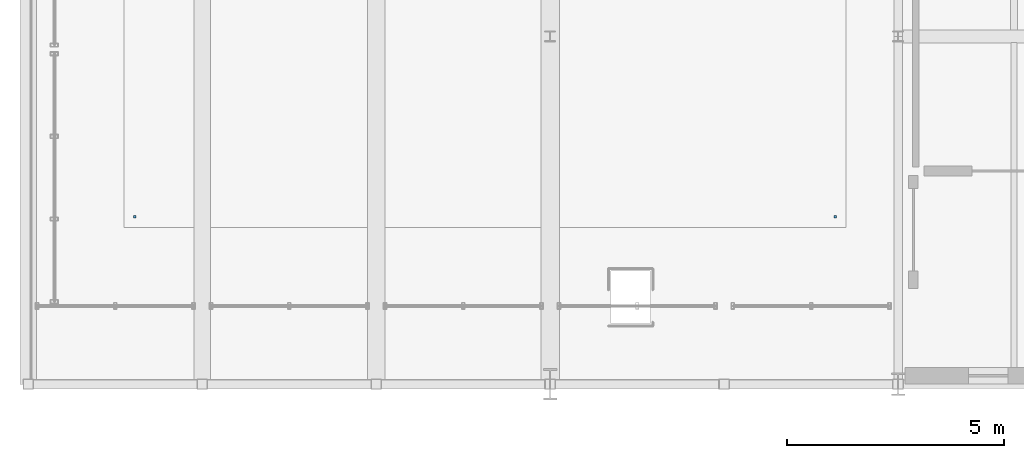
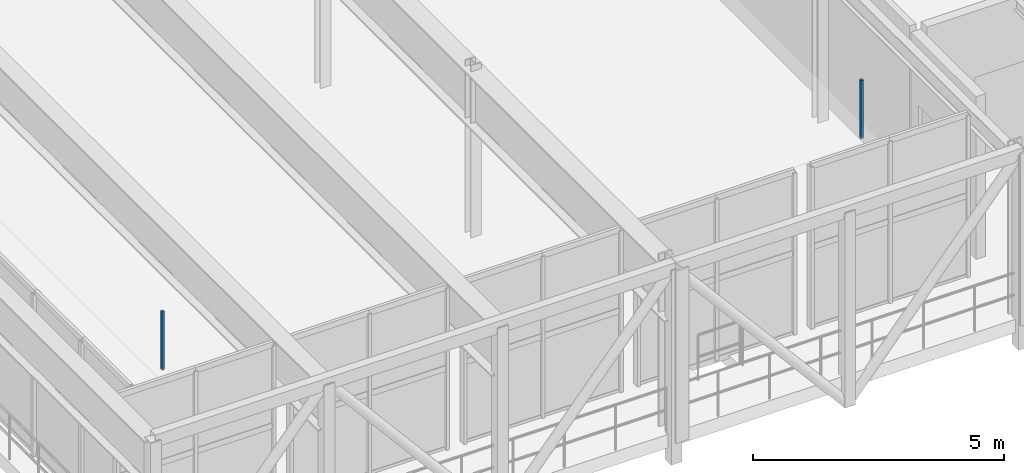
# One storey, part 91 of 124: 2 discrete accessories.
"""IFC4 building model written with IfcOpenShell, lengths in metres."""

from ifc_helpers import new_model, si_unit, direction, frame, origin, origin_2d, place, context, subcontext, project, spatial, rectangle, extrude, material, type_object, element, save


model = new_model("IFC4")

# Units and contexts
model_context = context("Model", 3, precision=1e-05, world=origin(), true_north=direction((0.0, 1.0)))
body_context = subcontext(model_context, "Body", "Model", "MODEL_VIEW")
ifc_project = project(units=[si_unit("LENGTHUNIT", "METRE"), si_unit("AREAUNIT", "SQUARE_METRE"), si_unit("VOLUMEUNIT", "CUBIC_METRE"), si_unit("PLANEANGLEUNIT", "RADIAN"), si_unit("MASSUNIT", "GRAM", prefix="KILO")], contexts=[model_context])

# Site, building, storey
site_placement = place(None, origin())
site = spatial("IfcSite", under=ifc_project, at=site_placement, CompositionType="ELEMENT")
building_placement = place(site_placement, origin())
building = spatial("IfcBuilding", under=site, at=building_placement, Name="Sundkrona Museum", CompositionType="ELEMENT")
storey_placement = place(building_placement, frame((0.0, 0.0, 17.60009765625)))
storey = spatial("IfcBuildingStorey", under=building, at=storey_placement, Name="L03", CompositionType="ELEMENT", Elevation=17.60009765625)

# Discrete accessories
ifc_material = material(Name="Stainless Steel EN 1.4404 Cleat", Category="steel")
discrete_accessory_type = type_object("IfcDiscreteAccessoryType", Name="BRK-FIN-01", PredefinedType="BRACKET", material=ifc_material)
for number, where, z_axis, x_axis, name in (
    (1, (6.449951171875, 35.85009765625, 2.550048828125), (0.0, 0.0, 1.0), (1.0, 0.0, 0.0), "L03 Marine Biology Gallery Ceiling Hanger 1"),
    (2, (22.550048828125, 35.85009765625, 2.550048828125), (0.0, 0.0, 1.0), (1.0, 0.0, 0.0), "L03 Marine Biology Gallery Ceiling Hanger 2"),
):
    element("IfcDiscreteAccessory", number, at=place(storey_placement, frame(where, z_axis=z_axis, x_axis=x_axis)), inside=storey, type_object=discrete_accessory_type, Name=name, PredefinedType="BRACKET", context=body_context, shape_type="SweptSolid", body=[
        extrude(rectangle(XDim=0.06005859375, YDim=0.06005859375, at=origin_2d()), origin(), (0.0, 0.0, 1.0), 1.419921875),
    ])

save(model, "model.ifc")
